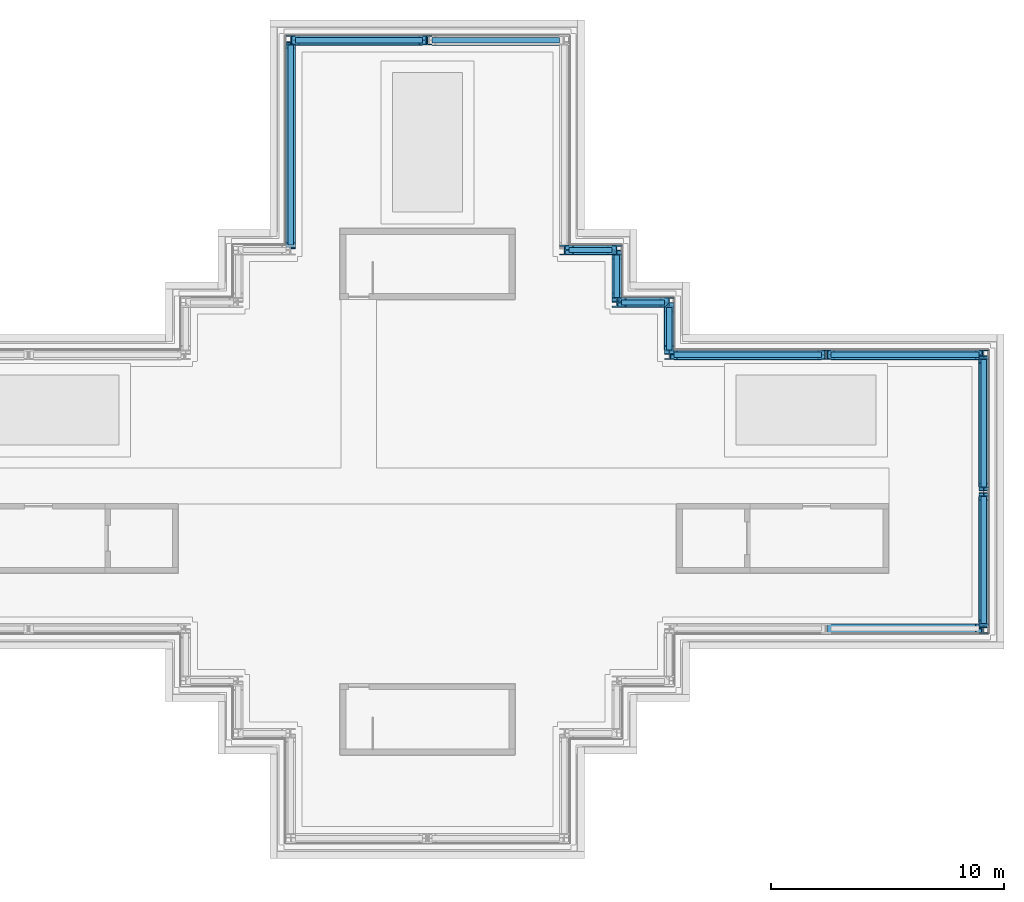
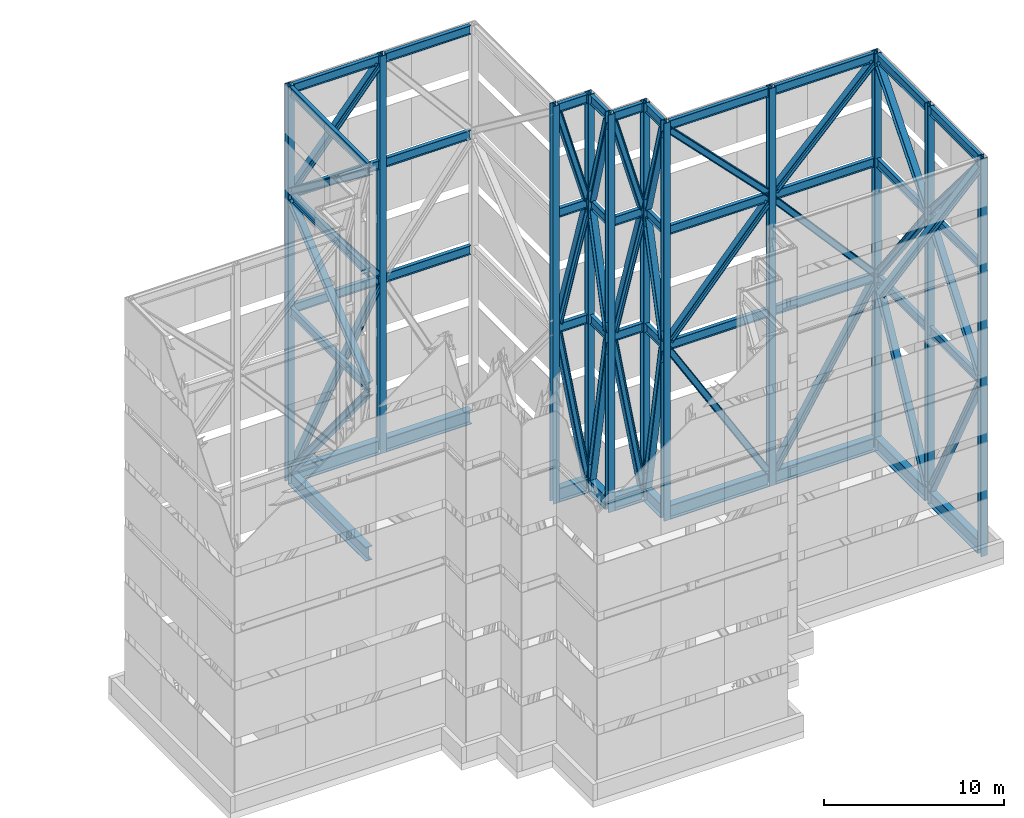
# One storey, part 7 of 19: 86 members.
"""IFC4 building model written with IfcOpenShell, lengths in metres."""

import ifcopenshell
import ifcopenshell.guid

model = None  # the IFC model being written
_history = None  # IfcOwnerHistory: only IFC2X3 demands one
_inside = {}  # id of a spatial element -> (the spatial element, [elements in it])
_under = {}  # id of a project, library or spatial element -> (it, [spatial elements below it])
_declared = {}  # id of a project -> (the project, [libraries it declares])
_typed = {}  # id of a type object -> (the type object, [elements of that type])
_made_of = {}  # id of a material, layer set ... -> (it, [elements and type objects made of it])


def new_model(schema):
    """Start an empty IFC model of exactly this schema.

    Asked for "IFC4X3", IfcOpenShell would pick the latest addendum, in which some entities
    have other attributes; the version numbers below select the first issue.
    IFC2X3 requires an IfcOwnerHistory on every rooted entity: one is made here for all.
    """
    global model, _history
    if schema == "IFC4X3":
        model = ifcopenshell.file(schema_version=(4, 3, 0, 0))
    else:
        model = ifcopenshell.file(schema=schema)
    _inside.clear()
    _under.clear()
    _declared.clear()
    _typed.clear()
    _made_of.clear()
    _history = None
    if model.schema == "IFC2X3":
        org = make("IfcOrganization", Name="unknown")
        user = make(
            "IfcPersonAndOrganization",
            ThePerson=make("IfcPerson", FamilyName="unknown"),
            TheOrganization=org,
        )
        app = make(
            "IfcApplication",
            ApplicationDeveloper=org,
            Version="unknown",
            ApplicationFullName="unknown",
            ApplicationIdentifier="unknown",
        )
        _history = make(
            "IfcOwnerHistory",
            OwningUser=user,
            OwningApplication=app,
            ChangeAction="ADDED",
            CreationDate=0,
        )
    return model


def make(cls, **values):
    """One entity of the class cls with the attributes given. An attribute that is None is left unset."""
    return model.create_entity(
        cls, **{name: value for name, value in values.items() if value is not None}
    )


def rooted(cls, **values):
    """An entity with a GlobalId (a new one), such as an element, a storey or a relation."""
    return make(cls, GlobalId=ifcopenshell.guid.new(), OwnerHistory=_history, **values)


def si_unit(unit_type, name, prefix=None):
    """IfcSIUnit, for example si_unit("LENGTHUNIT", "METRE", prefix="MILLI")."""
    return make("IfcSIUnit", UnitType=unit_type, Prefix=prefix, Name=name)


def assignment(units):
    """IfcUnitAssignment: the units of a project."""
    return None if units is None else make("IfcUnitAssignment", Units=units)


def point(xyz):
    """IfcCartesianPoint."""
    return None if xyz is None else make("IfcCartesianPoint", Coordinates=xyz)


def direction(xyz):
    """IfcDirection."""
    return None if xyz is None else make("IfcDirection", DirectionRatios=xyz)


def frame(location, z_axis=None, x_axis=None):
    """IfcAxis2Placement3D, a coordinate frame: its origin and axes. An axis left out is left unset."""
    return make(
        "IfcAxis2Placement3D",
        Location=point(location),
        Axis=direction(z_axis),
        RefDirection=direction(x_axis),
    )


def frame_2d(location, x_axis=None):
    """IfcAxis2Placement2D, a coordinate frame in the plane: its origin and x axis."""
    return make(
        "IfcAxis2Placement2D", Location=point(location), RefDirection=direction(x_axis)
    )


def origin():
    """The frame at (0, 0, 0) with its axes left unset."""
    return frame((0.0, 0.0, 0.0))


def origin_2d():
    """The frame at (0, 0) in the plane with its x axis left unset."""
    return frame_2d((0.0, 0.0))


def place(relative_to, where):
    """IfcLocalPlacement: puts the frame where relative to a parent placement (None: the world)."""
    return make(
        "IfcLocalPlacement", PlacementRelTo=relative_to, RelativePlacement=where
    )


def context(
    kind, dimensions, precision=None, world=None, true_north=None, identifier=None
):
    """IfcGeometricRepresentationContext, for example the 3D "Model" context."""
    return make(
        "IfcGeometricRepresentationContext",
        ContextIdentifier=identifier,
        ContextType=kind,
        CoordinateSpaceDimension=dimensions,
        Precision=precision,
        WorldCoordinateSystem=world,
        TrueNorth=true_north,
    )


def subcontext(parent, identifier, kind, view, scale=None):
    """IfcGeometricRepresentationSubContext, for example "Body" below "Model"."""
    return make(
        "IfcGeometricRepresentationSubContext",
        ContextIdentifier=identifier,
        ContextType=kind,
        ParentContext=parent,
        TargetScale=scale,
        TargetView=view,
    )


def project(units=None, contexts=None):
    """IfcProject with its units and contexts."""
    return rooted(
        "IfcProject",
        Name="project",
        RepresentationContexts=contexts,
        UnitsInContext=assignment(units),
    )


def spatial(cls, under=None, at=None, **own):
    """A site, building, storey or space (cls), placed at a placement, below another one or the project."""
    s = rooted(cls, ObjectPlacement=at, **own)
    if under is not None:
        _under.setdefault(under.id(), (under, []))[1].append(s)
    return s


def profile(cls, at=None, kind="AREA", **sizes):
    """A parametric profile (cls). Its sizes go by their IFC names, for example OverallWidth=200.0."""
    return make(cls, ProfileType=kind, Position=at, **sizes)


def i_section(**sizes):
    """IfcIShapeProfileDef."""
    return profile("IfcIShapeProfileDef", **sizes)


def extrude(swept, where, along, depth):
    """IfcExtrudedAreaSolid: the profile swept, set in the frame where, extruded along a direction by depth."""
    return make(
        "IfcExtrudedAreaSolid",
        SweptArea=swept,
        Position=where,
        ExtrudedDirection=direction(along),
        Depth=depth,
    )


def shape(context_of_items, identifier, shape_type, items):
    """IfcShapeRepresentation: the items that make up one representation, for example the "Body"."""
    return make(
        "IfcShapeRepresentation",
        ContextOfItems=context_of_items,
        RepresentationIdentifier=identifier,
        RepresentationType=shape_type,
        Items=items,
    )


def material(Name=None, Category=None):
    """IfcMaterial."""
    return make("IfcMaterial", Name=Name, Category=Category)


def material_profile(
    of_material, cross_section, Name=None, Category=None, Priority=None
):
    """IfcMaterialProfile: a cross section and its material."""
    return make(
        "IfcMaterialProfile",
        Name=Name,
        Material=of_material,
        Profile=cross_section,
        Priority=Priority,
        Category=Category,
    )


def profile_set(profiles, Name=None, composite=None):
    """IfcMaterialProfileSet."""
    return make(
        "IfcMaterialProfileSet",
        Name=Name,
        MaterialProfiles=profiles,
        CompositeProfile=composite,
    )


def made_of(thing, what):
    """Note that an element or type object is made of a material, layer set ...; save() writes the relation."""
    if what is not None:
        _made_of.setdefault(what.id(), (what, []))[1].append(thing)
    return thing


def type_object(cls, material=None, **own):
    """A type object (cls), such as IfcWallType, which elements share."""
    return made_of(rooted(cls, **own), material)


def element(
    cls,
    number,
    at=None,
    inside=None,
    cuts=None,
    type_object=None,
    material=None,
    context=None,
    identifier="Body",
    shape_type=None,
    held_by="IfcProductDefinitionShape",
    body=None,
    shapes=None,
    **own,
):
    """One element of the class cls, such as IfcWall. Its Tag is "e" and its number.

    at: its placement. inside: the storey or other place that contains it. cuts: it is an
    opening in that element (IfcRelVoidsElement). A single representation is given by context,
    identifier, shape_type and body (its items); several are given by shapes. held_by: the class
    of the entity that holds the representations. save() writes the other relations.
    """
    e = rooted(cls, Tag="e%d" % number, ObjectPlacement=at, **own)
    if body is not None:
        shapes = [shape(context, identifier, shape_type, body)]
    if shapes is not None:
        e.Representation = make(held_by, Representations=shapes)
    if inside is not None:
        _inside.setdefault(inside.id(), (inside, []))[1].append(e)
    if cuts is not None:
        rooted(
            "IfcRelVoidsElement", RelatingBuildingElement=cuts, RelatedOpeningElement=e
        )
    if type_object is not None:
        _typed.setdefault(type_object.id(), (type_object, []))[1].append(e)
    return made_of(e, material)


def aggregate(whole, parts):
    """IfcRelAggregates: a whole, such as a stair, and the parts it consists of."""
    return rooted("IfcRelAggregates", RelatingObject=whole, RelatedObjects=parts)


def save(model, path):
    """Write the relations noted so far, then the file.

    IfcRelAggregates (storeys below a building ...), IfcRelContainedInSpatialStructure (elements
    in a storey), IfcRelDefinesByType, IfcRelAssociatesMaterial and IfcRelDeclares: one each for
    every whole, place, type object, material and project.
    """
    for whole, parts in _under.values():
        aggregate(whole, parts)
    for where, things in _inside.values():
        rooted(
            "IfcRelContainedInSpatialStructure",
            RelatedElements=things,
            RelatingStructure=where,
        )
    for kind, things in _typed.values():
        rooted("IfcRelDefinesByType", RelatedObjects=things, RelatingType=kind)
    for what, things in _made_of.values():
        rooted("IfcRelAssociatesMaterial", RelatedObjects=things, RelatingMaterial=what)
    for by, libraries in _declared.values():
        rooted("IfcRelDeclares", RelatingContext=by, RelatedDefinitions=libraries)
    model.write(path)


model = new_model("IFC4")

# Units and contexts
model_context = context("Model", 3, precision=1e-05, world=origin(), true_north=direction((0.0, 1.0)))
body_context = subcontext(model_context, "Body", "Model", "MODEL_VIEW")
ifc_project = project(units=[si_unit("LENGTHUNIT", "METRE"), si_unit("AREAUNIT", "SQUARE_METRE"), si_unit("VOLUMEUNIT", "CUBIC_METRE"), si_unit("PLANEANGLEUNIT", "RADIAN"), si_unit("MASSUNIT", "GRAM", prefix="KILO")], contexts=[model_context])

# Site, building, storey
site_placement = place(None, origin())
site = spatial("IfcSite", under=ifc_project, at=site_placement, CompositionType="ELEMENT")
building_placement = place(site_placement, origin())
building = spatial("IfcBuilding", under=site, at=building_placement, Name="Shamsa Quay Exchange Towers", CompositionType="ELEMENT")
storey_placement = place(building_placement, frame((0.0, 0.0, 284.300048828125)))
storey = spatial("IfcBuildingStorey", under=building, at=storey_placement, Name="Roof", CompositionType="ELEMENT", Elevation=284.300048828125)

# Members
ifc_material = material(Name="Steel S355", Category="steel")
ifc_material_profile_1 = material_profile(ifc_material, i_section(OverallWidth=0.423095703125, OverallDepth=0.947265625, WebThickness=0.02392578125, FlangeThickness=0.042724609375, at=origin_2d()), Name="W36x302")
ifc_profile_set_1 = profile_set([ifc_material_profile_1], Name="Steel S355")
member_type_1 = type_object("IfcMemberType", Name="Crown frame base ring girder W36x302", PredefinedType="USERDEFINED", material=ifc_profile_set_1)
for number, where, z_axis, x_axis, name in (
    (1, (57.625, -5.6669921875, 0.4736328125), (0.0, 1.0, 0.0), (-1.0, 0.0, 0.0), "Crown frame base ring girder T2"),
    (2, (57.625, 0.2080078125, 0.4736328125), (0.0, 1.0, 0.0), (-1.0, 0.0, 0.0), "Crown frame base ring girder T2"),
):
    element("IfcMember", number, at=place(storey_placement, frame(where, z_axis=z_axis, x_axis=x_axis)), inside=storey, type_object=member_type_1, Name=name, ObjectType="CROWN FRAME", PredefinedType="USERDEFINED", context=body_context, shape_type="SweptSolid", body=[
        extrude(i_section(OverallWidth=0.423095703125, OverallDepth=0.947265625, WebThickness=0.02392578125, FlangeThickness=0.042724609375, at=origin_2d()), origin(), (0.0, 0.0, 1.0), 5.458984375),
    ])
for number, where, z_axis, x_axis, name in (
    (3, (57.421875, 5.875, 0.4736328125), (-1.0, 0.0, 0.0), (0.0, -1.0, 0.0), "Crown frame base ring girder T2"),
    (4, (50.671875, 5.875, 0.4736328125), (-1.0, 0.0, 0.0), (0.0, -1.0, 0.0), "Crown frame base ring girder T2"),
):
    element("IfcMember", number, at=place(storey_placement, frame(where, z_axis=z_axis, x_axis=x_axis)), inside=storey, type_object=member_type_1, Name=name, ObjectType="CROWN FRAME", PredefinedType="USERDEFINED", context=body_context, shape_type="SweptSolid", body=[
        extrude(i_section(OverallWidth=0.423095703125, OverallDepth=0.947265625, WebThickness=0.02392578125, FlangeThickness=0.042724609375, at=origin_2d()), origin(), (0.0, 0.0, 1.0), 6.34375),
    ])
member_1_placement = place(storey_placement, frame((44.125, 6.0830078125, 0.4736328125), z_axis=(0.0, 1.0, 0.0), x_axis=(-1.0, 0.0, 0.0)))
element("IfcMember", 5, at=member_1_placement, inside=storey, type_object=member_type_1, Name="Crown frame base ring girder T2", ObjectType="CROWN FRAME", PredefinedType="USERDEFINED", context=body_context, shape_type="SweptSolid", body=[
    extrude(i_section(OverallWidth=0.423095703125, OverallDepth=0.947265625, WebThickness=0.02392578125, FlangeThickness=0.042724609375, at=origin_2d()), origin(), (0.0, 0.0, 1.0), 1.833984375),
])
member_2_placement = place(storey_placement, frame((43.921875, 8.125, 0.4736328125), z_axis=(-1.0, 0.0, 0.0), x_axis=(0.0, -1.0, 0.0)))
element("IfcMember", 6, at=member_2_placement, inside=storey, type_object=member_type_1, Name="Crown frame base ring girder T2", ObjectType="CROWN FRAME", PredefinedType="USERDEFINED", context=body_context, shape_type="SweptSolid", body=[
    extrude(i_section(OverallWidth=0.423095703125, OverallDepth=0.947265625, WebThickness=0.02392578125, FlangeThickness=0.042724609375, at=origin_2d()), origin(), (0.0, 0.0, 1.0), 1.84375),
])
member_3_placement = place(storey_placement, frame((41.875, 8.3330078125, 0.4736328125), z_axis=(0.0, 1.0, 0.0), x_axis=(-1.0, 0.0, 0.0)))
element("IfcMember", 7, at=member_3_placement, inside=storey, type_object=member_type_1, Name="Crown frame base ring girder T2", ObjectType="CROWN FRAME", PredefinedType="USERDEFINED", context=body_context, shape_type="SweptSolid", body=[
    extrude(i_section(OverallWidth=0.423095703125, OverallDepth=0.947265625, WebThickness=0.02392578125, FlangeThickness=0.042724609375, at=origin_2d()), origin(), (0.0, 0.0, 1.0), 1.833984375),
])
member_4_placement = place(storey_placement, frame((41.671875, 10.375, 0.4736328125), z_axis=(-1.0, 0.0, 0.0), x_axis=(0.0, -1.0, 0.0)))
element("IfcMember", 8, at=member_4_placement, inside=storey, type_object=member_type_1, Name="Crown frame base ring girder T2", ObjectType="CROWN FRAME", PredefinedType="USERDEFINED", context=body_context, shape_type="SweptSolid", body=[
    extrude(i_section(OverallWidth=0.423095703125, OverallDepth=0.947265625, WebThickness=0.02392578125, FlangeThickness=0.042724609375, at=origin_2d()), origin(), (0.0, 0.0, 1.0), 1.84375),
])
for number, where, z_axis, x_axis, name in (
    (9, (39.421875, 19.375, 0.4736328125), (-1.0, 0.0, 0.0), (0.0, -1.0, 0.0), "Crown frame base ring girder T2"),
    (10, (33.546875, 19.375, 0.4736328125), (-1.0, 0.0, 0.0), (0.0, -1.0, 0.0), "Crown frame base ring girder T2"),
):
    element("IfcMember", number, at=place(storey_placement, frame(where, z_axis=z_axis, x_axis=x_axis)), inside=storey, type_object=member_type_1, Name=name, ObjectType="CROWN FRAME", PredefinedType="USERDEFINED", context=body_context, shape_type="SweptSolid", body=[
        extrude(i_section(OverallWidth=0.423095703125, OverallDepth=0.947265625, WebThickness=0.02392578125, FlangeThickness=0.042724609375, at=origin_2d()), origin(), (0.0, 0.0, 1.0), 5.46875),
    ])
member_5_placement = place(storey_placement, frame((27.875, 19.1669921875, 0.4736328125), z_axis=(0.0, -1.0, 0.0), x_axis=(1.0, 0.0, 0.0)))
element("IfcMember", 11, at=member_5_placement, inside=storey, type_object=member_type_1, Name="Crown frame base ring girder T2", ObjectType="CROWN FRAME", PredefinedType="USERDEFINED", context=body_context, shape_type="SweptSolid", body=[
    extrude(i_section(OverallWidth=0.423095703125, OverallDepth=0.947265625, WebThickness=0.02392578125, FlangeThickness=0.042724609375, at=origin_2d()), origin(), (0.0, 0.0, 1.0), 8.583984375),
])
ifc_material_profile_2 = material_profile(ifc_material, i_section(OverallWidth=0.403564453125, OverallDepth=0.407470703125, WebThickness=0.027099609375, FlangeThickness=0.043701171875, at=origin_2d()), Name="W14x233")
ifc_profile_set_2 = profile_set([ifc_material_profile_2], Name="Steel S355")
member_type_2 = type_object("IfcMemberType", Name="Crown frame brace W14x233", PredefinedType="USERDEFINED", material=ifc_profile_set_2)
member_6_placement = place(storey_placement, frame((51.078125, -5.875, 19.805908203125), z_axis=(0.699447836177, 0.0, 0.714683653421), x_axis=(0.0, 1.0, 0.0)))
element("IfcMember", 12, at=member_6_placement, inside=storey, type_object=member_type_2, Name="Crown frame brace T2", ObjectType="CROWN FRAME", PredefinedType="USERDEFINED", context=body_context, shape_type="SweptSolid", body=[
    extrude(i_section(OverallWidth=0.403564453125, OverallDepth=0.407470703125, WebThickness=0.027099609375, FlangeThickness=0.043701171875, at=origin_2d()), origin(), (0.0, 0.0, 1.0), 9.069580078125),
])
member_7_placement = place(storey_placement, frame((57.625, -5.6669921875, 11.393798828125), z_axis=(0.0, 0.46314070047, -0.886284768891), x_axis=(-1.0, 0.0, 0.0)))
element("IfcMember", 13, at=member_7_placement, inside=storey, type_object=member_type_2, Name="Crown frame brace T2", ObjectType="CROWN FRAME", PredefinedType="USERDEFINED", context=body_context, shape_type="SweptSolid", body=[
    extrude(i_section(OverallWidth=0.403564453125, OverallDepth=0.407470703125, WebThickness=0.027099609375, FlangeThickness=0.043701171875, at=origin_2d()), origin(), (0.0, 0.0, 1.0), 11.786865234375),
])
member_8_placement = place(storey_placement, frame((57.625, -5.6669921875, 12.006103515625), z_axis=(0.0, 0.604823303721, 0.796359699681), x_axis=(-1.0, 0.0, 0.0)))
element("IfcMember", 14, at=member_8_placement, inside=storey, type_object=member_type_2, Name="Crown frame brace T2", ObjectType="CROWN FRAME", PredefinedType="USERDEFINED", context=body_context, shape_type="SweptSolid", body=[
    extrude(i_section(OverallWidth=0.403564453125, OverallDepth=0.407470703125, WebThickness=0.027099609375, FlangeThickness=0.043701171875, at=origin_2d()), origin(), (0.0, 0.0, 1.0), 9.025634765625),
])
member_9_placement = place(storey_placement, frame((57.625, -5.6669921875, 26.287841796875), z_axis=(0.0, 0.644171231164, -0.764881314284), x_axis=(-1.0, 0.0, 0.0)))
element("IfcMember", 15, at=member_9_placement, inside=storey, type_object=member_type_2, Name="Crown frame brace T2", ObjectType="CROWN FRAME", PredefinedType="USERDEFINED", context=body_context, shape_type="SweptSolid", body=[
    extrude(i_section(OverallWidth=0.403564453125, OverallDepth=0.407470703125, WebThickness=0.027099609375, FlangeThickness=0.043701171875, at=origin_2d()), origin(), (0.0, 0.0, 1.0), 8.474365234375),
])
member_10_placement = place(storey_placement, frame((57.625, 0.2080078125, 0.947265625), z_axis=(0.0, 0.46314070047, 0.886284768891), x_axis=(-1.0, 0.0, 0.0)))
element("IfcMember", 16, at=member_10_placement, inside=storey, type_object=member_type_2, Name="Crown frame brace T2", ObjectType="CROWN FRAME", PredefinedType="USERDEFINED", context=body_context, shape_type="SweptSolid", body=[
    extrude(i_section(OverallWidth=0.403564453125, OverallDepth=0.407470703125, WebThickness=0.027099609375, FlangeThickness=0.043701171875, at=origin_2d()), origin(), (0.0, 0.0, 1.0), 11.786865234375),
])
member_11_placement = place(storey_placement, frame((57.625, 0.2080078125, 19.19384765625), z_axis=(0.0, 0.604823303721, -0.796359699681), x_axis=(-1.0, 0.0, 0.0)))
element("IfcMember", 17, at=member_11_placement, inside=storey, type_object=member_type_2, Name="Crown frame brace T2", ObjectType="CROWN FRAME", PredefinedType="USERDEFINED", context=body_context, shape_type="SweptSolid", body=[
    extrude(i_section(OverallWidth=0.403564453125, OverallDepth=0.407470703125, WebThickness=0.027099609375, FlangeThickness=0.043701171875, at=origin_2d()), origin(), (0.0, 0.0, 1.0), 9.025634765625),
])
member_12_placement = place(storey_placement, frame((57.625, 0.2080078125, 19.805908203125), z_axis=(0.0, 0.644171231164, 0.764881314284), x_axis=(-1.0, 0.0, 0.0)))
element("IfcMember", 18, at=member_12_placement, inside=storey, type_object=member_type_2, Name="Crown frame brace T2", ObjectType="CROWN FRAME", PredefinedType="USERDEFINED", context=body_context, shape_type="SweptSolid", body=[
    extrude(i_section(OverallWidth=0.403564453125, OverallDepth=0.407470703125, WebThickness=0.027099609375, FlangeThickness=0.043701171875, at=origin_2d()), origin(), (0.0, 0.0, 1.0), 8.474365234375),
])
member_13_placement = place(storey_placement, frame((57.421875, 5.875, 11.393798828125), z_axis=(-0.519050588784, 0.0, -0.854743520761), x_axis=(0.0, -1.0, 0.0)))
element("IfcMember", 19, at=member_13_placement, inside=storey, type_object=member_type_2, Name="Crown frame brace T2", ObjectType="CROWN FRAME", PredefinedType="USERDEFINED", context=body_context, shape_type="SweptSolid", body=[
    extrude(i_section(OverallWidth=0.403564453125, OverallDepth=0.407470703125, WebThickness=0.027099609375, FlangeThickness=0.043701171875, at=origin_2d()), origin(), (0.0, 0.0, 1.0), 12.221923828125),
])
member_14_placement = place(storey_placement, frame((57.421875, 5.875, 12.006103515625), z_axis=(-0.661716808405, 0.0, 0.74975386993), x_axis=(0.0, -1.0, 0.0)))
element("IfcMember", 20, at=member_14_placement, inside=storey, type_object=member_type_2, Name="Crown frame brace T2", ObjectType="CROWN FRAME", PredefinedType="USERDEFINED", context=body_context, shape_type="SweptSolid", body=[
    extrude(i_section(OverallWidth=0.403564453125, OverallDepth=0.407470703125, WebThickness=0.027099609375, FlangeThickness=0.043701171875, at=origin_2d()), origin(), (0.0, 0.0, 1.0), 9.5869140625),
])
member_15_placement = place(storey_placement, frame((57.421875, 5.875, 26.287841796875), z_axis=(-0.699447836177, 0.0, -0.714683653421), x_axis=(0.0, -1.0, 0.0)))
element("IfcMember", 21, at=member_15_placement, inside=storey, type_object=member_type_2, Name="Crown frame brace T2", ObjectType="CROWN FRAME", PredefinedType="USERDEFINED", context=body_context, shape_type="SweptSolid", body=[
    extrude(i_section(OverallWidth=0.403564453125, OverallDepth=0.407470703125, WebThickness=0.027099609375, FlangeThickness=0.043701171875, at=origin_2d()), origin(), (0.0, 0.0, 1.0), 9.069580078125),
])
member_16_placement = place(storey_placement, frame((50.671875, 5.875, 0.947265625), z_axis=(-0.519050588784, 0.0, 0.854743520761), x_axis=(0.0, -1.0, 0.0)))
element("IfcMember", 22, at=member_16_placement, inside=storey, type_object=member_type_2, Name="Crown frame brace T2", ObjectType="CROWN FRAME", PredefinedType="USERDEFINED", context=body_context, shape_type="SweptSolid", body=[
    extrude(i_section(OverallWidth=0.403564453125, OverallDepth=0.407470703125, WebThickness=0.027099609375, FlangeThickness=0.043701171875, at=origin_2d()), origin(), (0.0, 0.0, 1.0), 12.221923828125),
])
member_17_placement = place(storey_placement, frame((50.671875, 5.875, 19.19384765625), z_axis=(-0.661716808405, 0.0, -0.74975386993), x_axis=(0.0, -1.0, 0.0)))
element("IfcMember", 23, at=member_17_placement, inside=storey, type_object=member_type_2, Name="Crown frame brace T2", ObjectType="CROWN FRAME", PredefinedType="USERDEFINED", context=body_context, shape_type="SweptSolid", body=[
    extrude(i_section(OverallWidth=0.403564453125, OverallDepth=0.407470703125, WebThickness=0.027099609375, FlangeThickness=0.043701171875, at=origin_2d()), origin(), (0.0, 0.0, 1.0), 9.5869140625),
])
member_18_placement = place(storey_placement, frame((50.671875, 5.875, 19.805908203125), z_axis=(-0.699447836177, 0.0, 0.714683653421), x_axis=(0.0, -1.0, 0.0)))
element("IfcMember", 24, at=member_18_placement, inside=storey, type_object=member_type_2, Name="Crown frame brace T2", ObjectType="CROWN FRAME", PredefinedType="USERDEFINED", context=body_context, shape_type="SweptSolid", body=[
    extrude(i_section(OverallWidth=0.403564453125, OverallDepth=0.407470703125, WebThickness=0.027099609375, FlangeThickness=0.043701171875, at=origin_2d()), origin(), (0.0, 0.0, 1.0), 9.069580078125),
])
member_19_placement = place(storey_placement, frame((44.125, 6.0830078125, 11.393798828125), z_axis=(0.0, 0.17291465847, -0.984936810606), x_axis=(-1.0, 0.0, 0.0)))
element("IfcMember", 25, at=member_19_placement, inside=storey, type_object=member_type_2, Name="Crown frame brace T2", ObjectType="CROWN FRAME", PredefinedType="USERDEFINED", context=body_context, shape_type="SweptSolid", body=[
    extrude(i_section(OverallWidth=0.403564453125, OverallDepth=0.407470703125, WebThickness=0.027099609375, FlangeThickness=0.043701171875, at=origin_2d()), origin(), (0.0, 0.0, 1.0), 10.606201171875),
])
member_20_placement = place(storey_placement, frame((44.125, 6.0830078125, 12.006103515625), z_axis=(0.0, 0.247233355894, 0.968955967902), x_axis=(-1.0, 0.0, 0.0)))
element("IfcMember", 26, at=member_20_placement, inside=storey, type_object=member_type_2, Name="Crown frame brace T2", ObjectType="CROWN FRAME", PredefinedType="USERDEFINED", context=body_context, shape_type="SweptSolid", body=[
    extrude(i_section(OverallWidth=0.403564453125, OverallDepth=0.407470703125, WebThickness=0.027099609375, FlangeThickness=0.043701171875, at=origin_2d()), origin(), (0.0, 0.0, 1.0), 7.41796875),
])
member_21_placement = place(storey_placement, frame((44.125, 6.0830078125, 26.287841796875), z_axis=(0.0, 0.272250291508, -0.962226469587), x_axis=(-1.0, 0.0, 0.0)))
element("IfcMember", 27, at=member_21_placement, inside=storey, type_object=member_type_2, Name="Crown frame brace T2", ObjectType="CROWN FRAME", PredefinedType="USERDEFINED", context=body_context, shape_type="SweptSolid", body=[
    extrude(i_section(OverallWidth=0.403564453125, OverallDepth=0.407470703125, WebThickness=0.027099609375, FlangeThickness=0.043701171875, at=origin_2d()), origin(), (0.0, 0.0, 1.0), 6.736328125),
])
member_22_placement = place(storey_placement, frame((43.921875, 8.125, 0.947265625), z_axis=(-0.173807653572, 0.0, 0.984779619793), x_axis=(0.0, -1.0, 0.0)))
element("IfcMember", 28, at=member_22_placement, inside=storey, type_object=member_type_2, Name="Crown frame brace T2", ObjectType="CROWN FRAME", PredefinedType="USERDEFINED", context=body_context, shape_type="SweptSolid", body=[
    extrude(i_section(OverallWidth=0.403564453125, OverallDepth=0.407470703125, WebThickness=0.027099609375, FlangeThickness=0.043701171875, at=origin_2d()), origin(), (0.0, 0.0, 1.0), 10.60791015625),
])
member_23_placement = place(storey_placement, frame((43.921875, 8.125, 19.19384765625), z_axis=(-0.248468754818, 0.0, -0.96863991136), x_axis=(0.0, -1.0, 0.0)))
element("IfcMember", 29, at=member_23_placement, inside=storey, type_object=member_type_2, Name="Crown frame brace T2", ObjectType="CROWN FRAME", PredefinedType="USERDEFINED", context=body_context, shape_type="SweptSolid", body=[
    extrude(i_section(OverallWidth=0.403564453125, OverallDepth=0.407470703125, WebThickness=0.027099609375, FlangeThickness=0.043701171875, at=origin_2d()), origin(), (0.0, 0.0, 1.0), 7.42041015625),
])
member_24_placement = place(storey_placement, frame((43.921875, 8.125, 19.805908203125), z_axis=(-0.27359172731, 0.0, 0.961845916323), x_axis=(0.0, -1.0, 0.0)))
element("IfcMember", 30, at=member_24_placement, inside=storey, type_object=member_type_2, Name="Crown frame brace T2", ObjectType="CROWN FRAME", PredefinedType="USERDEFINED", context=body_context, shape_type="SweptSolid", body=[
    extrude(i_section(OverallWidth=0.403564453125, OverallDepth=0.407470703125, WebThickness=0.027099609375, FlangeThickness=0.043701171875, at=origin_2d()), origin(), (0.0, 0.0, 1.0), 6.739013671875),
])
member_25_placement = place(storey_placement, frame((41.875, 8.3330078125, 11.393798828125), z_axis=(0.0, 0.17291465847, -0.984936810606), x_axis=(-1.0, 0.0, 0.0)))
element("IfcMember", 31, at=member_25_placement, inside=storey, type_object=member_type_2, Name="Crown frame brace T2", ObjectType="CROWN FRAME", PredefinedType="USERDEFINED", context=body_context, shape_type="SweptSolid", body=[
    extrude(i_section(OverallWidth=0.403564453125, OverallDepth=0.407470703125, WebThickness=0.027099609375, FlangeThickness=0.043701171875, at=origin_2d()), origin(), (0.0, 0.0, 1.0), 10.606201171875),
])
member_26_placement = place(storey_placement, frame((41.875, 8.3330078125, 12.006103515625), z_axis=(0.0, 0.247233355894, 0.968955967902), x_axis=(-1.0, 0.0, 0.0)))
element("IfcMember", 32, at=member_26_placement, inside=storey, type_object=member_type_2, Name="Crown frame brace T2", ObjectType="CROWN FRAME", PredefinedType="USERDEFINED", context=body_context, shape_type="SweptSolid", body=[
    extrude(i_section(OverallWidth=0.403564453125, OverallDepth=0.407470703125, WebThickness=0.027099609375, FlangeThickness=0.043701171875, at=origin_2d()), origin(), (0.0, 0.0, 1.0), 7.41796875),
])
member_27_placement = place(storey_placement, frame((41.875, 8.3330078125, 26.287841796875), z_axis=(0.0, 0.272250291508, -0.962226469587), x_axis=(-1.0, 0.0, 0.0)))
element("IfcMember", 33, at=member_27_placement, inside=storey, type_object=member_type_2, Name="Crown frame brace T2", ObjectType="CROWN FRAME", PredefinedType="USERDEFINED", context=body_context, shape_type="SweptSolid", body=[
    extrude(i_section(OverallWidth=0.403564453125, OverallDepth=0.407470703125, WebThickness=0.027099609375, FlangeThickness=0.043701171875, at=origin_2d()), origin(), (0.0, 0.0, 1.0), 6.736328125),
])
member_28_placement = place(storey_placement, frame((41.671875, 10.375, 0.947265625), z_axis=(-0.173807653572, 0.0, 0.984779619793), x_axis=(0.0, -1.0, 0.0)))
element("IfcMember", 34, at=member_28_placement, inside=storey, type_object=member_type_2, Name="Crown frame brace T2", ObjectType="CROWN FRAME", PredefinedType="USERDEFINED", context=body_context, shape_type="SweptSolid", body=[
    extrude(i_section(OverallWidth=0.403564453125, OverallDepth=0.407470703125, WebThickness=0.027099609375, FlangeThickness=0.043701171875, at=origin_2d()), origin(), (0.0, 0.0, 1.0), 10.60791015625),
])
member_29_placement = place(storey_placement, frame((41.671875, 10.375, 19.19384765625), z_axis=(-0.248468754818, 0.0, -0.96863991136), x_axis=(0.0, -1.0, 0.0)))
element("IfcMember", 35, at=member_29_placement, inside=storey, type_object=member_type_2, Name="Crown frame brace T2", ObjectType="CROWN FRAME", PredefinedType="USERDEFINED", context=body_context, shape_type="SweptSolid", body=[
    extrude(i_section(OverallWidth=0.403564453125, OverallDepth=0.407470703125, WebThickness=0.027099609375, FlangeThickness=0.043701171875, at=origin_2d()), origin(), (0.0, 0.0, 1.0), 7.42041015625),
])
member_30_placement = place(storey_placement, frame((41.671875, 10.375, 19.805908203125), z_axis=(-0.27359172731, 0.0, 0.961845916323), x_axis=(0.0, -1.0, 0.0)))
element("IfcMember", 36, at=member_30_placement, inside=storey, type_object=member_type_2, Name="Crown frame brace T2", ObjectType="CROWN FRAME", PredefinedType="USERDEFINED", context=body_context, shape_type="SweptSolid", body=[
    extrude(i_section(OverallWidth=0.403564453125, OverallDepth=0.407470703125, WebThickness=0.027099609375, FlangeThickness=0.043701171875, at=origin_2d()), origin(), (0.0, 0.0, 1.0), 6.739013671875),
])
member_31_placement = place(storey_placement, frame((33.546875, 19.375, 11.393798828125), z_axis=(-0.46379112615, 0.0, -0.885944575752), x_axis=(0.0, -1.0, 0.0)))
element("IfcMember", 37, at=member_31_placement, inside=storey, type_object=member_type_2, Name="Crown frame brace T2", ObjectType="CROWN FRAME", PredefinedType="USERDEFINED", context=body_context, shape_type="SweptSolid", body=[
    extrude(i_section(OverallWidth=0.403564453125, OverallDepth=0.407470703125, WebThickness=0.027099609375, FlangeThickness=0.043701171875, at=origin_2d()), origin(), (0.0, 0.0, 1.0), 11.79150390625),
])
member_32_placement = place(storey_placement, frame((33.546875, 19.375, 12.006103515625), z_axis=(-0.605508806079, 0.0, 0.795838605347), x_axis=(0.0, -1.0, 0.0)))
element("IfcMember", 38, at=member_32_placement, inside=storey, type_object=member_type_2, Name="Crown frame brace T2", ObjectType="CROWN FRAME", PredefinedType="USERDEFINED", context=body_context, shape_type="SweptSolid", body=[
    extrude(i_section(OverallWidth=0.403564453125, OverallDepth=0.407470703125, WebThickness=0.027099609375, FlangeThickness=0.043701171875, at=origin_2d()), origin(), (0.0, 0.0, 1.0), 9.03173828125),
])
member_33_placement = place(storey_placement, frame((33.546875, 19.375, 26.287841796875), z_axis=(-0.644844663681, 0.0, -0.764313652712), x_axis=(0.0, -1.0, 0.0)))
element("IfcMember", 39, at=member_33_placement, inside=storey, type_object=member_type_2, Name="Crown frame brace T2", ObjectType="CROWN FRAME", PredefinedType="USERDEFINED", context=body_context, shape_type="SweptSolid", body=[
    extrude(i_section(OverallWidth=0.403564453125, OverallDepth=0.407470703125, WebThickness=0.027099609375, FlangeThickness=0.043701171875, at=origin_2d()), origin(), (0.0, 0.0, 1.0), 8.480712890625),
])
member_34_placement = place(storey_placement, frame((27.875, 19.1669921875, 0.947265625), z_axis=(0.0, -0.634867639372, 0.772620916413), x_axis=(1.0, 0.0, 0.0)))
element("IfcMember", 40, at=member_34_placement, inside=storey, type_object=member_type_2, Name="Crown frame brace T2", ObjectType="CROWN FRAME", PredefinedType="USERDEFINED", context=body_context, shape_type="SweptSolid", body=[
    extrude(i_section(OverallWidth=0.403564453125, OverallDepth=0.407470703125, WebThickness=0.027099609375, FlangeThickness=0.043701171875, at=origin_2d()), origin(), (0.0, 0.0, 1.0), 13.52099609375),
])
member_35_placement = place(storey_placement, frame((27.875, 19.1669921875, 19.19384765625), z_axis=(0.0, -0.766706999724, -0.641997178011), x_axis=(1.0, 0.0, 0.0)))
element("IfcMember", 41, at=member_35_placement, inside=storey, type_object=member_type_2, Name="Crown frame brace T2", ObjectType="CROWN FRAME", PredefinedType="USERDEFINED", context=body_context, shape_type="SweptSolid", body=[
    extrude(i_section(OverallWidth=0.403564453125, OverallDepth=0.407470703125, WebThickness=0.027099609375, FlangeThickness=0.043701171875, at=origin_2d()), origin(), (0.0, 0.0, 1.0), 11.19580078125),
])
member_36_placement = place(storey_placement, frame((27.875, 19.1669921875, 19.805908203125), z_axis=(0.0, -0.798034686142, 0.602611516413), x_axis=(1.0, 0.0, 0.0)))
element("IfcMember", 42, at=member_36_placement, inside=storey, type_object=member_type_2, Name="Crown frame brace T2", ObjectType="CROWN FRAME", PredefinedType="USERDEFINED", context=body_context, shape_type="SweptSolid", body=[
    extrude(i_section(OverallWidth=0.403564453125, OverallDepth=0.407470703125, WebThickness=0.027099609375, FlangeThickness=0.043701171875, at=origin_2d()), origin(), (0.0, 0.0, 1.0), 10.75634765625),
])
ifc_material_profile_3 = material_profile(ifc_material, i_section(OverallWidth=0.40625, OverallDepth=0.416015625, WebThickness=0.02978515625, FlangeThickness=0.048095703125, at=origin_2d()), Name="W14x257")
ifc_profile_set_3 = profile_set([ifc_material_profile_3], Name="Steel S355")
member_type_3 = type_object("IfcMemberType", Name="Crown frame post W14x257", PredefinedType="USERDEFINED", material=ifc_profile_set_3)
for number, where, name in (
    (43, (57.625, -5.875, 0.0), "Crown frame post T2"),
    (44, (57.625, 0.0, 0.0), "Crown frame post T2"),
    (45, (57.625, 5.875, 0.0), "Crown frame post T2"),
    (46, (50.875, 5.875, 0.0), "Crown frame post T2"),
    (47, (44.125, 5.875, 0.0), "Crown frame post T2"),
    (48, (44.125, 8.125, 0.0), "Crown frame post T2"),
    (49, (41.875, 8.125, 0.0), "Crown frame post T2"),
    (50, (41.875, 10.375, 0.0), "Crown frame post T2"),
    (51, (39.625, 10.375, 0.0), "Crown frame post T2"),
    (52, (33.75, 19.375, 0.0), "Crown frame post T2"),
    (53, (27.875, 19.375, 0.0), "Crown frame post T2"),
):
    element("IfcMember", number, at=place(storey_placement, frame(where)), inside=storey, type_object=member_type_3, Name=name, ObjectType="CROWN FRAME", PredefinedType="USERDEFINED", context=body_context, shape_type="SweptSolid", body=[
        extrude(i_section(OverallWidth=0.40625, OverallDepth=0.416015625, WebThickness=0.02978515625, FlangeThickness=0.048095703125, at=origin_2d()), origin(), (0.0, 0.0, 1.0), 26.89990234375),
    ])
ifc_material_profile_4 = material_profile(ifc_material, i_section(OverallWidth=0.22900390625, OverallDepth=0.612060546875, WebThickness=0.011962890625, FlangeThickness=0.01953125, at=origin_2d()), Name="W24x84")
ifc_profile_set_4 = profile_set([ifc_material_profile_4], Name="Steel S355")
member_type_4 = type_object("IfcMemberType", Name="Crown frame ring beam W24x84", PredefinedType="USERDEFINED", material=ifc_profile_set_4)
for number, where, z_axis, x_axis, name in (
    (54, (57.625, -5.6669921875, 11.699951171875), (0.0, 1.0, 0.0), (-1.0, 0.0, 0.0), "Crown frame ring beam T2"),
    (55, (57.625, -5.6669921875, 19.5), (0.0, 1.0, 0.0), (-1.0, 0.0, 0.0), "Crown frame ring beam T2"),
    (56, (57.625, -5.6669921875, 26.593994140625), (0.0, 1.0, 0.0), (-1.0, 0.0, 0.0), "Crown frame ring beam T2"),
    (57, (57.625, 0.2080078125, 11.699951171875), (0.0, 1.0, 0.0), (-1.0, 0.0, 0.0), "Crown frame ring beam T2"),
    (58, (57.625, 0.2080078125, 19.5), (0.0, 1.0, 0.0), (-1.0, 0.0, 0.0), "Crown frame ring beam T2"),
    (59, (57.625, 0.2080078125, 26.593994140625), (0.0, 1.0, 0.0), (-1.0, 0.0, 0.0), "Crown frame ring beam T2"),
):
    element("IfcMember", number, at=place(storey_placement, frame(where, z_axis=z_axis, x_axis=x_axis)), inside=storey, type_object=member_type_4, Name=name, ObjectType="CROWN FRAME", PredefinedType="USERDEFINED", context=body_context, shape_type="SweptSolid", body=[
        extrude(i_section(OverallWidth=0.22900390625, OverallDepth=0.612060546875, WebThickness=0.011962890625, FlangeThickness=0.01953125, at=origin_2d()), origin(), (0.0, 0.0, 1.0), 5.458984375),
    ])
for number, where, z_axis, x_axis, name in (
    (60, (57.421875, 5.875, 11.699951171875), (-1.0, 0.0, 0.0), (0.0, -1.0, 0.0), "Crown frame ring beam T2"),
    (61, (57.421875, 5.875, 19.5), (-1.0, 0.0, 0.0), (0.0, -1.0, 0.0), "Crown frame ring beam T2"),
    (62, (57.421875, 5.875, 26.593994140625), (-1.0, 0.0, 0.0), (0.0, -1.0, 0.0), "Crown frame ring beam T2"),
    (63, (50.671875, 5.875, 11.699951171875), (-1.0, 0.0, 0.0), (0.0, -1.0, 0.0), "Crown frame ring beam T2"),
    (64, (50.671875, 5.875, 19.5), (-1.0, 0.0, 0.0), (0.0, -1.0, 0.0), "Crown frame ring beam T2"),
    (65, (50.671875, 5.875, 26.593994140625), (-1.0, 0.0, 0.0), (0.0, -1.0, 0.0), "Crown frame ring beam T2"),
):
    element("IfcMember", number, at=place(storey_placement, frame(where, z_axis=z_axis, x_axis=x_axis)), inside=storey, type_object=member_type_4, Name=name, ObjectType="CROWN FRAME", PredefinedType="USERDEFINED", context=body_context, shape_type="SweptSolid", body=[
        extrude(i_section(OverallWidth=0.22900390625, OverallDepth=0.612060546875, WebThickness=0.011962890625, FlangeThickness=0.01953125, at=origin_2d()), origin(), (0.0, 0.0, 1.0), 6.34375),
    ])
for number, where, z_axis, x_axis, name in (
    (66, (44.125, 6.0830078125, 11.699951171875), (0.0, 1.0, 0.0), (-1.0, 0.0, 0.0), "Crown frame ring beam T2"),
    (67, (44.125, 6.0830078125, 19.5), (0.0, 1.0, 0.0), (-1.0, 0.0, 0.0), "Crown frame ring beam T2"),
    (68, (44.125, 6.0830078125, 26.593994140625), (0.0, 1.0, 0.0), (-1.0, 0.0, 0.0), "Crown frame ring beam T2"),
):
    element("IfcMember", number, at=place(storey_placement, frame(where, z_axis=z_axis, x_axis=x_axis)), inside=storey, type_object=member_type_4, Name=name, ObjectType="CROWN FRAME", PredefinedType="USERDEFINED", context=body_context, shape_type="SweptSolid", body=[
        extrude(i_section(OverallWidth=0.22900390625, OverallDepth=0.612060546875, WebThickness=0.011962890625, FlangeThickness=0.01953125, at=origin_2d()), origin(), (0.0, 0.0, 1.0), 1.833984375),
    ])
for number, where, z_axis, x_axis, name in (
    (69, (43.921875, 8.125, 11.699951171875), (-1.0, 0.0, 0.0), (0.0, -1.0, 0.0), "Crown frame ring beam T2"),
    (70, (43.921875, 8.125, 19.5), (-1.0, 0.0, 0.0), (0.0, -1.0, 0.0), "Crown frame ring beam T2"),
    (71, (43.921875, 8.125, 26.593994140625), (-1.0, 0.0, 0.0), (0.0, -1.0, 0.0), "Crown frame ring beam T2"),
):
    element("IfcMember", number, at=place(storey_placement, frame(where, z_axis=z_axis, x_axis=x_axis)), inside=storey, type_object=member_type_4, Name=name, ObjectType="CROWN FRAME", PredefinedType="USERDEFINED", context=body_context, shape_type="SweptSolid", body=[
        extrude(i_section(OverallWidth=0.22900390625, OverallDepth=0.612060546875, WebThickness=0.011962890625, FlangeThickness=0.01953125, at=origin_2d()), origin(), (0.0, 0.0, 1.0), 1.84375),
    ])
for number, where, z_axis, x_axis, name in (
    (72, (41.875, 8.3330078125, 11.699951171875), (0.0, 1.0, 0.0), (-1.0, 0.0, 0.0), "Crown frame ring beam T2"),
    (73, (41.875, 8.3330078125, 19.5), (0.0, 1.0, 0.0), (-1.0, 0.0, 0.0), "Crown frame ring beam T2"),
    (74, (41.875, 8.3330078125, 26.593994140625), (0.0, 1.0, 0.0), (-1.0, 0.0, 0.0), "Crown frame ring beam T2"),
):
    element("IfcMember", number, at=place(storey_placement, frame(where, z_axis=z_axis, x_axis=x_axis)), inside=storey, type_object=member_type_4, Name=name, ObjectType="CROWN FRAME", PredefinedType="USERDEFINED", context=body_context, shape_type="SweptSolid", body=[
        extrude(i_section(OverallWidth=0.22900390625, OverallDepth=0.612060546875, WebThickness=0.011962890625, FlangeThickness=0.01953125, at=origin_2d()), origin(), (0.0, 0.0, 1.0), 1.833984375),
    ])
for number, where, z_axis, x_axis, name in (
    (75, (41.671875, 10.375, 11.699951171875), (-1.0, 0.0, 0.0), (0.0, -1.0, 0.0), "Crown frame ring beam T2"),
    (76, (41.671875, 10.375, 19.5), (-1.0, 0.0, 0.0), (0.0, -1.0, 0.0), "Crown frame ring beam T2"),
    (77, (41.671875, 10.375, 26.593994140625), (-1.0, 0.0, 0.0), (0.0, -1.0, 0.0), "Crown frame ring beam T2"),
):
    element("IfcMember", number, at=place(storey_placement, frame(where, z_axis=z_axis, x_axis=x_axis)), inside=storey, type_object=member_type_4, Name=name, ObjectType="CROWN FRAME", PredefinedType="USERDEFINED", context=body_context, shape_type="SweptSolid", body=[
        extrude(i_section(OverallWidth=0.22900390625, OverallDepth=0.612060546875, WebThickness=0.011962890625, FlangeThickness=0.01953125, at=origin_2d()), origin(), (0.0, 0.0, 1.0), 1.84375),
    ])
for number, where, z_axis, x_axis, name in (
    (78, (39.421875, 19.375, 11.699951171875), (-1.0, 0.0, 0.0), (0.0, -1.0, 0.0), "Crown frame ring beam T2"),
    (79, (39.421875, 19.375, 19.5), (-1.0, 0.0, 0.0), (0.0, -1.0, 0.0), "Crown frame ring beam T2"),
    (80, (39.421875, 19.375, 26.593994140625), (-1.0, 0.0, 0.0), (0.0, -1.0, 0.0), "Crown frame ring beam T2"),
    (81, (33.546875, 19.375, 11.699951171875), (-1.0, 0.0, 0.0), (0.0, -1.0, 0.0), "Crown frame ring beam T2"),
    (82, (33.546875, 19.375, 19.5), (-1.0, 0.0, 0.0), (0.0, -1.0, 0.0), "Crown frame ring beam T2"),
    (83, (33.546875, 19.375, 26.593994140625), (-1.0, 0.0, 0.0), (0.0, -1.0, 0.0), "Crown frame ring beam T2"),
):
    element("IfcMember", number, at=place(storey_placement, frame(where, z_axis=z_axis, x_axis=x_axis)), inside=storey, type_object=member_type_4, Name=name, ObjectType="CROWN FRAME", PredefinedType="USERDEFINED", context=body_context, shape_type="SweptSolid", body=[
        extrude(i_section(OverallWidth=0.22900390625, OverallDepth=0.612060546875, WebThickness=0.011962890625, FlangeThickness=0.01953125, at=origin_2d()), origin(), (0.0, 0.0, 1.0), 5.46875),
    ])
for number, where, z_axis, x_axis, name in (
    (84, (27.875, 19.1669921875, 11.699951171875), (0.0, -1.0, 0.0), (1.0, 0.0, 0.0), "Crown frame ring beam T2"),
    (85, (27.875, 19.1669921875, 19.5), (0.0, -1.0, 0.0), (1.0, 0.0, 0.0), "Crown frame ring beam T2"),
    (86, (27.875, 19.1669921875, 26.593994140625), (0.0, -1.0, 0.0), (1.0, 0.0, 0.0), "Crown frame ring beam T2"),
):
    element("IfcMember", number, at=place(storey_placement, frame(where, z_axis=z_axis, x_axis=x_axis)), inside=storey, type_object=member_type_4, Name=name, ObjectType="CROWN FRAME", PredefinedType="USERDEFINED", context=body_context, shape_type="SweptSolid", body=[
        extrude(i_section(OverallWidth=0.22900390625, OverallDepth=0.612060546875, WebThickness=0.011962890625, FlangeThickness=0.01953125, at=origin_2d()), origin(), (0.0, 0.0, 1.0), 8.583984375),
    ])

save(model, "model.ifc")
